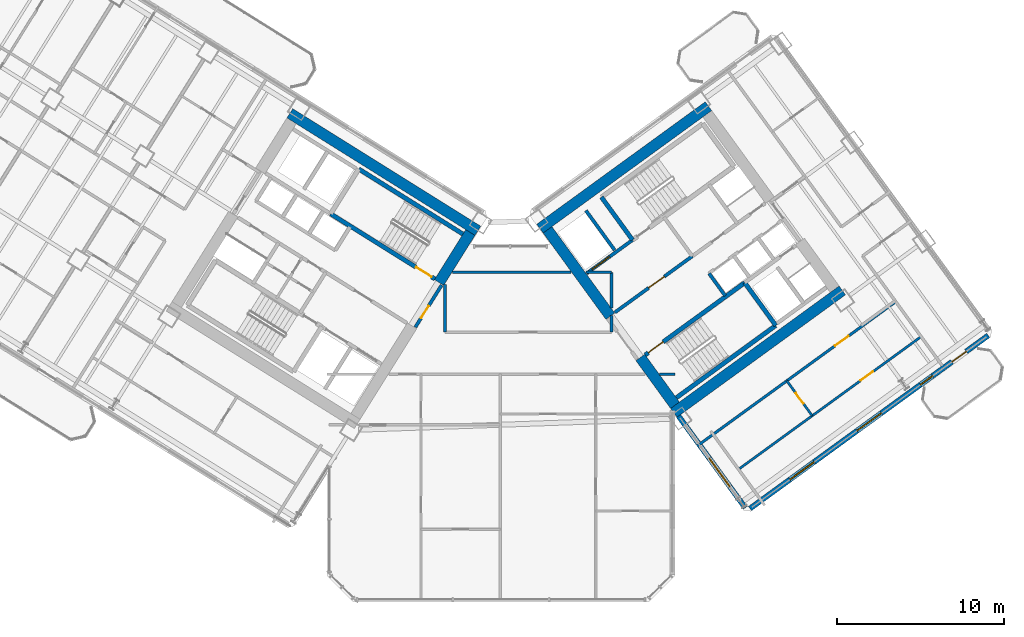
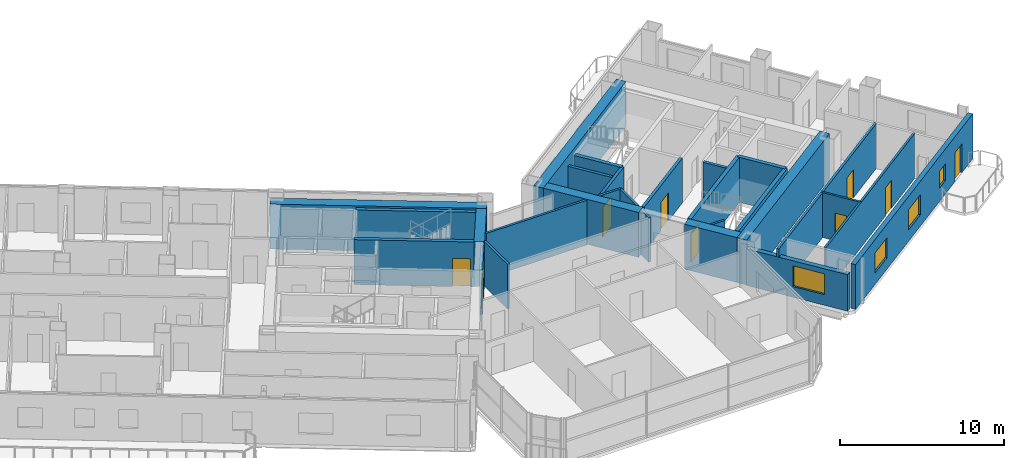
# One storey, part 18 of 28: 28 walls, 9 doors, 4 windows, 13 openings.
"""IFC4 building model written with IfcOpenShell, lengths in metres."""

from ifc_helpers import new_model, si_unit, direction, frame, frame_2d, origin, place, context, subcontext, project, spatial, rectangle, extrude, source, transform, mapped, material, layer, layer_set, type_object, element, fill, save


model = new_model("IFC4")

# Units and contexts
model_context = context("Model", 3, precision=1e-05, world=origin(), true_north=direction((0.0, 1.0)))
body_context = subcontext(model_context, "Body", "Model", "MODEL_VIEW")
ifc_project = project(units=[si_unit("LENGTHUNIT", "METRE"), si_unit("AREAUNIT", "SQUARE_METRE"), si_unit("VOLUMEUNIT", "CUBIC_METRE"), si_unit("PLANEANGLEUNIT", "RADIAN"), si_unit("MASSUNIT", "GRAM", prefix="KILO")], contexts=[model_context])

# Site, building, storey
site_placement = place(None, origin())
site = spatial("IfcSite", under=ifc_project, at=site_placement, CompositionType="ELEMENT")
building_placement = place(site_placement, origin())
building = spatial("IfcBuilding", under=site, at=building_placement, Name="Tlacorven Tower", CompositionType="ELEMENT")
storey_placement = place(building_placement, frame((0.0, 0.0, 49.199951171875)))
storey = spatial("IfcBuildingStorey", under=building, at=storey_placement, Name="L12", CompositionType="ELEMENT", Elevation=49.199951171875)

# Walls
ifc_material_1 = material(Name="Concrete C60/75", Category="concrete")
ifc_layer_1 = layer(ifc_material_1, 0.64990234375)
ifc_layer_set_1 = layer_set([ifc_layer_1], Name="Concrete C60/75")
wall_type_1 = type_object("IfcWallType", Name="WL-COR-650", PredefinedType="SHEAR", material=ifc_layer_set_1)
wall_1_placement = place(storey_placement, frame((40.615478515625, 23.9833984375, 0.0), z_axis=(0.0, 0.0, 1.0), x_axis=(-0.848045953968, 0.529922692436, 0.0)))
element("IfcWall", 1, at=wall_1_placement, inside=storey, type_object=wall_type_1, Name="L12 W core shear wall S1", PredefinedType="SHEAR", context=body_context, shape_type="SweptSolid", body=[
    extrude(rectangle(XDim=13.239990234375, YDim=0.64990234375, at=frame_2d((6.6201171875, 0.0))), origin(), (0.0, 0.0, 1.0), 3.35009765625),
])
wall_2_placement = place(storey_placement, frame((40.167724609375, 23.880126953125, 0.0), z_axis=(0.0, 0.0, 1.0), x_axis=(-0.529893103397, -0.8480644427, 0.0)))
element("IfcWall", 2, at=wall_2_placement, inside=storey, type_object=wall_type_1, Name="L12 W core end wall E1.1", PredefinedType="SHEAR", context=body_context, shape_type="SweptSolid", body=[
    extrude(rectangle(XDim=3.525146484375, YDim=0.64990234375, at=frame_2d((1.7626953125, 0.0))), origin(), (0.0, 0.0, 1.0), 3.35009765625),
])
wall_3_placement = place(storey_placement, frame((52.318359375, 13.1103515625, 0.0), z_axis=(0.0, 0.0, 1.0), x_axis=(0.809019445368, 0.587781878776, 0.0)))
element("IfcWall", 3, at=wall_3_placement, inside=storey, type_object=wall_type_1, Name="L12 E core shear wall S1", PredefinedType="SHEAR", context=body_context, shape_type="SweptSolid", body=[
    extrude(rectangle(XDim=12.43994140625, YDim=0.64990234375, at=frame_2d((6.219970703125, 0.0))), origin(), (0.0, 0.0, 1.0), 3.35009765625),
])
wall_4_placement = place(storey_placement, frame((44.32470703125, 24.113037109375, 0.0), z_axis=(0.0, 0.0, 1.0), x_axis=(0.809012664862, 0.58779121131, 0.0)))
element("IfcWall", 4, at=wall_4_placement, inside=storey, type_object=wall_type_1, Name="L12 E core shear wall S2", PredefinedType="SHEAR", context=body_context, shape_type="SweptSolid", body=[
    extrude(rectangle(XDim=12.439697265625, YDim=0.64990234375, at=frame_2d((6.2197265625, 0.0))), origin(), (0.0, 0.0, 1.0), 3.35009765625),
])
wall_5_placement = place(storey_placement, frame((52.390380859375, 13.564208984375, 0.0), z_axis=(0.0, 0.0, 1.0), x_axis=(-0.58779688989, 0.809008539037, 0.0)))
element("IfcWall", 5, at=wall_5_placement, inside=storey, type_object=wall_type_1, Name="L12 E core end wall E1.1", PredefinedType="SHEAR", context=body_context, shape_type="SweptSolid", body=[
    extrude(rectangle(XDim=3.525146484375, YDim=0.64990234375, at=frame_2d((1.7626953125, 0.0))), origin(), (0.0, 0.0, 1.0), 3.35009765625),
])
wall_6_placement = place(storey_placement, frame((48.525634765625, 18.883544921875, 0.0), z_axis=(0.0, 0.0, 1.0), x_axis=(-0.58777996584, 0.809020835181, 0.0)))
element("IfcWall", 6, at=wall_6_placement, inside=storey, type_object=wall_type_1, Name="L12 E core end wall E1.2", PredefinedType="SHEAR", context=body_context, shape_type="SweptSolid", body=[
    extrude(rectangle(XDim=6.375, YDim=0.64990234375, at=frame_2d((3.1875, 0.0))), origin(), (0.0, 0.0, 1.0), 3.35009765625),
])
ifc_material_2 = material(Name="Gypsum plasterboard acoustic partition", Category="gypsum")
ifc_layer_2 = layer(ifc_material_2, 0.159912109375)
ifc_layer_set_2 = layer_set([ifc_layer_2], Name="Gypsum plasterboard acoustic partition")
wall_type_2 = type_object("IfcWallType", Name="WL-DEM-160", PredefinedType="PARTITIONING", material=ifc_layer_set_2)
wall_7_placement = place(storey_placement, frame((51.477294921875, 15.419921875, 0.0), z_axis=(0.0, 0.0, 1.0), x_axis=(1.0, 0.0, 0.0)))
element("IfcWall", 7, at=wall_7_placement, inside=storey, type_object=wall_type_2, Name="L12 Knuckle Corridor South Wall", PredefinedType="PARTITIONING", context=body_context, shape_type="SweptSolid", body=[
    extrude(rectangle(XDim=0.922607421875, YDim=0.159912109375, at=frame_2d((0.46142578125, 0.0))), origin(), (0.0, 0.0, 1.0), 3.340087890625),
])
wall_8_placement = place(storey_placement, frame((38.64990234375, 17.929931640625, 0.0), z_axis=(0.0, 0.0, 1.0), x_axis=(0.0, 1.0, 0.0)))
element("IfcWall", 8, at=wall_8_placement, inside=storey, type_object=wall_type_2, Name="L12 partition 82", PredefinedType="PARTITIONING", context=body_context, shape_type="SweptSolid", body=[
    extrude(rectangle(XDim=2.85693359375, YDim=0.159912109375, at=frame_2d((1.428466796875, 0.0))), origin(), (0.0, 0.0, 1.0), 3.340087890625),
])
wall_9_placement = place(storey_placement, frame((48.60009765625, 17.929931640625, 0.0), z_axis=(0.0, 0.0, 1.0), x_axis=(0.0, 1.0, 0.0)))
element("IfcWall", 9, at=wall_9_placement, inside=storey, type_object=wall_type_2, Name="L12 partition 83", PredefinedType="PARTITIONING", context=body_context, shape_type="SweptSolid", body=[
    extrude(rectangle(XDim=0.99267578125, YDim=0.159912109375, at=frame_2d((0.496337890625, 0.0))), origin(), (0.0, 0.0, 1.0), 3.340087890625),
])
wall_10_placement = place(storey_placement, frame((48.60009765625, 19.380126953125, 0.0), z_axis=(0.0, 0.0, 1.0), x_axis=(0.0, 1.0, 0.0)))
element("IfcWall", 10, at=wall_10_placement, inside=storey, type_object=wall_type_2, Name="L12 partition 83", PredefinedType="PARTITIONING", context=body_context, shape_type="SweptSolid", body=[
    extrude(rectangle(XDim=2.119873046875, YDim=0.159912109375, at=frame_2d((1.06005859375, 0.0))), origin(), (0.0, 0.0, 1.0), 3.340087890625),
])
wall_11_placement = place(storey_placement, frame((39.095458984375, 21.5, 0.0), z_axis=(0.0, 0.0, 1.0), x_axis=(1.0, 0.0, 0.0)))
element("IfcWall", 11, at=wall_11_placement, inside=storey, type_object=wall_type_2, Name="L12 partition 84", PredefinedType="PARTITIONING", context=body_context, shape_type="SweptSolid", body=[
    extrude(rectangle(XDim=7.09423828125, YDim=0.159912109375, at=frame_2d((3.547119140625, 0.0))), origin(), (0.0, 0.0, 1.0), 3.340087890625),
])
wall_12_placement = place(storey_placement, frame((47.059814453125, 21.5, 0.0), z_axis=(0.0, 0.0, 1.0), x_axis=(1.0, 0.0, 0.0)))
element("IfcWall", 12, at=wall_12_placement, inside=storey, type_object=wall_type_2, Name="L12 partition 84", PredefinedType="PARTITIONING", context=body_context, shape_type="SweptSolid", body=[
    extrude(rectangle(XDim=1.540283203125, YDim=0.159912109375, at=frame_2d((0.77001953125, 0.0))), origin(), (0.0, 0.0, 1.0), 3.340087890625),
])

# Wall, opening, door
wall_13_placement = place(storey_placement, frame((53.70458984375, 11.1259765625, 0.0), z_axis=(0.0, 0.0, 1.0), x_axis=(0.809014504436, 0.587788679384, 0.0)))
wall_13 = element("IfcWall", 13, at=wall_13_placement, inside=storey, type_object=wall_type_2, Name="L12 partition 104", PredefinedType="PARTITIONING", context=body_context, shape_type="SweptSolid", body=[
    extrude(rectangle(XDim=14.669921875, YDim=0.159912109375, at=frame_2d((7.3349609375, 0.0))), origin(), (0.0, 0.0, 1.0), 3.340087890625),
])
opening_1_placement = place(wall_13_placement, frame((10.199951171875, 0.0, 0.0)))
opening_1 = element("IfcOpeningElement", 14, at=opening_1_placement, cuts=wall_13, Name="Opening D11", PredefinedType="OPENING", context=body_context, shape_type="SweptSolid", body=[
    extrude(rectangle(XDim=1.0, YDim=2.10009765625, at=frame_2d((0.5, 1.050048828125))), frame((0.0, 0.08984375, 0.0), z_axis=(0.0, -1.0, 0.0), x_axis=(1.0, 0.0, 0.0)), (0.0, 0.0, 1.0), 0.179931640625),
])
ifc_material_3 = material(Name="Fire-rated steel door assembly", Category="steel")
door_type_1 = type_object("IfcDoorType", Name="DR-FLT-FD60-1000", OperationType="NOTDEFINED", PredefinedType="DOOR", material=ifc_material_3)
shared_shape_1 = source(origin(), body_context, "Body", "SweptSolid", [
    extrude(rectangle(XDim=1.0, YDim=2.10009765625, at=frame_2d((0.5, 1.050048828125))), frame((0.0, 0.02490234375, 0.0), z_axis=(0.0, -1.0, 0.0), x_axis=(1.0, 0.0, 0.0)), (0.0, 0.0, 1.0), 0.050048828125),
])
door_1_placement = place(opening_1_placement, origin())
door_1 = element("IfcDoor", 15, at=door_1_placement, inside=storey, type_object=door_type_1, Name="L12 door 065", OperationType="SINGLE_SWING_LEFT", OverallHeight=2.10009765625, OverallWidth=1.0, PredefinedType="DOOR", context=body_context, shape_type="MappedRepresentation", body=[
    mapped(shared_shape_1, transform((0.0, 0.0, 0.0), scale=1.0)),
])
fill(opening_1, door_1)

# Wall, openings, door, windows
ifc_material_4 = material(Name="Precast concrete C45/55", Category="concrete")
ifc_layer_3 = layer(ifc_material_4, 0.320068359375)
ifc_layer_set_3 = layer_set([ifc_layer_3], Name="Precast concrete C45/55")
wall_type_3 = type_object("IfcWallType", Name="WL-EXT-320", PredefinedType="STANDARD", material=ifc_layer_set_3)
wall_14_placement = place(storey_placement, frame((71.097900390625, 17.73095703125, 0.0), z_axis=(0.0, 0.0, 1.0), x_axis=(-0.809021120468, -0.587779573171, 0.0)))
wall_14 = element("IfcWall", 16, at=wall_14_placement, inside=storey, type_object=wall_type_3, Name="L12 Masonry-Frame Recessed Facade Wall 6", PredefinedType="STANDARD", context=body_context, shape_type="SweptSolid", body=[
    extrude(rectangle(XDim=17.587646484375, YDim=0.320068359375, at=frame_2d((8.7939453125, 0.0))), origin(), (0.0, 0.0, 1.0), 3.35009765625),
])
opening_2_placement = place(wall_14_placement, frame((1.623779296875, 0.0, 0.0)))
opening_2 = element("IfcOpeningElement", 17, at=opening_2_placement, cuts=wall_14, Name="Opening D06", PredefinedType="OPENING", context=body_context, shape_type="SweptSolid", body=[
    extrude(rectangle(XDim=1.050048828125, YDim=2.14990234375, at=frame_2d((0.52490234375, 1.074951171875))), frame((0.0, 0.169921875, 0.0), z_axis=(0.0, -1.0, 0.0), x_axis=(1.0, 0.0, 0.0)), (0.0, 0.0, 1.0), 0.340087890625),
])
opening_3_placement = place(wall_14_placement, frame((4.103759765625, 0.0, 1.0)))
opening_3 = element("IfcOpeningElement", 18, at=opening_3_placement, cuts=wall_14, Name="Opening WN05", PredefinedType="OPENING", context=body_context, shape_type="SweptSolid", body=[
    extrude(rectangle(XDim=0.89990234375, YDim=1.25, at=frame_2d((0.449951171875, 0.625))), frame((0.0, 0.169921875, 0.0), z_axis=(0.0, -1.0, 0.0), x_axis=(1.0, 0.0, 0.0)), (0.0, 0.0, 1.0), 0.340087890625),
])
opening_4_placement = place(wall_14_placement, frame((7.878662109375, 0.0, 0.85009765625)))
opening_4 = element("IfcOpeningElement", 19, at=opening_4_placement, cuts=wall_14, Name="Opening WN01", PredefinedType="OPENING", context=body_context, shape_type="SweptSolid", body=[
    extrude(rectangle(XDim=1.800048828125, YDim=1.5, at=frame_2d((0.89990234375, 0.75))), frame((0.0, 0.169921875, 0.0), z_axis=(0.0, -1.0, 0.0), x_axis=(1.0, 0.0, 0.0)), (0.0, 0.0, 1.0), 0.340087890625),
])
opening_5_placement = place(wall_14_placement, frame((12.8486328125, 0.0, 0.85009765625)))
opening_5 = element("IfcOpeningElement", 20, at=opening_5_placement, cuts=wall_14, Name="Opening WN01", PredefinedType="OPENING", context=body_context, shape_type="SweptSolid", body=[
    extrude(rectangle(XDim=1.800048828125, YDim=1.5, at=frame_2d((0.89990234375, 0.75))), frame((0.0, 0.169921875, 0.0), z_axis=(0.0, -1.0, 0.0), x_axis=(1.0, 0.0, 0.0)), (0.0, 0.0, 1.0), 0.340087890625),
])
ifc_material_5 = material(Name="Powder-coated aluminium and timber door", Category="wood")
door_type_2 = type_object("IfcDoorType", Name="DR-EXT-BALC-1050", OperationType="NOTDEFINED", PredefinedType="DOOR", material=ifc_material_5)
shared_shape_2 = source(origin(), body_context, "Body", "SweptSolid", [
    extrude(rectangle(XDim=1.050048828125, YDim=2.14990234375, at=frame_2d((0.52490234375, 1.074951171875))), frame((0.0, 0.02490234375, 0.0), z_axis=(0.0, -1.0, 0.0), x_axis=(1.0, 0.0, 0.0)), (0.0, 0.0, 1.0), 0.050048828125),
])
door_2_placement = place(opening_2_placement, origin())
door_2 = element("IfcDoor", 21, at=door_2_placement, inside=storey, type_object=door_type_2, Name="L12 Outdoor Access Door BAL-L12-E-OUT", OperationType="SINGLE_SWING_LEFT", OverallHeight=2.14990234375, OverallWidth=1.050048828125, PredefinedType="DOOR", context=body_context, shape_type="MappedRepresentation", body=[
    mapped(shared_shape_2, transform((0.0, 0.0, 0.0), scale=1.0)),
])
fill(opening_2, door_2)
ifc_material_6 = material(Name="Dark solar low-E double glazing in anodised aluminium frame", Category="aluminium")
window_type_1 = type_object("IfcWindowType", Name="WN-APT-1800X1650", PartitioningType="SINGLE_PANEL", PredefinedType="WINDOW", material=ifc_material_6)
shared_shape_3 = source(origin(), body_context, "Body", "SweptSolid", [
    extrude(rectangle(XDim=1.800048828125, YDim=1.5, at=frame_2d((0.89990234375, 0.75))), frame((0.0, 0.030029296875, 0.0), z_axis=(0.0, -1.0, 0.0), x_axis=(1.0, 0.0, 0.0)), (0.0, 0.0, 1.0), 0.06005859375),
])
window_1_placement = place(opening_4_placement, origin())
window_1 = element("IfcWindow", 22, at=window_1_placement, inside=storey, type_object=window_type_1, Name="L12 Recessed Masonry-Frame Window L12-06.2", OverallHeight=1.5, OverallWidth=1.800048828125, PartitioningType="SINGLE_PANEL", PredefinedType="WINDOW", context=body_context, shape_type="MappedRepresentation", body=[
    mapped(shared_shape_3, transform((0.0, 0.0, 0.0), scale=1.0)),
])
fill(opening_4, window_1)
window_2_placement = place(opening_5_placement, origin())
window_2 = element("IfcWindow", 23, at=window_2_placement, inside=storey, type_object=window_type_1, Name="L12 Recessed Masonry-Frame Window L12-06.3", OverallHeight=1.5, OverallWidth=1.800048828125, PartitioningType="SINGLE_PANEL", PredefinedType="WINDOW", context=body_context, shape_type="MappedRepresentation", body=[
    mapped(shared_shape_3, transform((0.0, 0.0, 0.0), scale=1.0)),
])
fill(opening_5, window_2)
window_type_2 = type_object("IfcWindowType", Name="WN-APT-0900X1350", PartitioningType="SINGLE_PANEL", PredefinedType="WINDOW", material=ifc_material_6)
shared_shape_4 = source(origin(), body_context, "Body", "SweptSolid", [
    extrude(rectangle(XDim=0.89990234375, YDim=1.25, at=frame_2d((0.449951171875, 0.625))), frame((0.0, 0.030029296875, 0.0), z_axis=(0.0, -1.0, 0.0), x_axis=(1.0, 0.0, 0.0)), (0.0, 0.0, 1.0), 0.06005859375),
])
window_3_placement = place(opening_3_placement, origin())
window_3 = element("IfcWindow", 24, at=window_3_placement, inside=storey, type_object=window_type_2, Name="L12 Recessed Masonry-Frame Window L12-06.1", OverallHeight=1.25, OverallWidth=0.89990234375, PartitioningType="SINGLE_PANEL", PredefinedType="WINDOW", context=body_context, shape_type="MappedRepresentation", body=[
    mapped(shared_shape_4, transform((0.0, 0.0, 0.0), scale=1.0)),
])
fill(opening_3, window_3)

# Wall, opening, window
wall_15_placement = place(storey_placement, frame((56.5810546875, 7.43896484375, 0.0), z_axis=(0.0, 0.0, 1.0), x_axis=(-0.587785875463, 0.809016541614, 0.0)))
wall_15 = element("IfcWall", 25, at=wall_15_placement, inside=storey, type_object=wall_type_3, Name="L12 Masonry-Frame Recessed Facade Wall 7", PredefinedType="STANDARD", context=body_context, shape_type="SweptSolid", body=[
    extrude(rectangle(XDim=6.773681640625, YDim=0.320068359375, at=frame_2d((3.38671875, 0.0))), origin(), (0.0, 0.0, 1.0), 2.72509765625),
])
opening_6_placement = place(wall_15_placement, frame((1.55615234375, 0.0, 0.800048828125)))
opening_6 = element("IfcOpeningElement", 26, at=opening_6_placement, cuts=wall_15, Name="Opening WN04", PredefinedType="OPENING", context=body_context, shape_type="SweptSolid", body=[
    extrude(rectangle(XDim=2.10009765625, YDim=1.550048828125, at=frame_2d((1.050048828125, 0.77490234375))), frame((0.0, 0.169921875, 0.0), z_axis=(0.0, -1.0, 0.0), x_axis=(1.0, 0.0, 0.0)), (0.0, 0.0, 1.0), 0.340087890625),
])
window_type_3 = type_object("IfcWindowType", Name="WN-APT-2100X1750", PartitioningType="SINGLE_PANEL", PredefinedType="WINDOW", material=ifc_material_6)
shared_shape_5 = source(origin(), body_context, "Body", "SweptSolid", [
    extrude(rectangle(XDim=2.10009765625, YDim=1.550048828125, at=frame_2d((1.050048828125, 0.77490234375))), frame((0.0, 0.030029296875, 0.0), z_axis=(0.0, -1.0, 0.0), x_axis=(1.0, 0.0, 0.0)), (0.0, 0.0, 1.0), 0.06005859375),
])
window_4_placement = place(opening_6_placement, origin())
window_4 = element("IfcWindow", 27, at=window_4_placement, inside=storey, type_object=window_type_3, Name="L12 Recessed Masonry-Frame Window L12-07.1", OverallHeight=1.550048828125, OverallWidth=2.10009765625, PartitioningType="SINGLE_PANEL", PredefinedType="WINDOW", context=body_context, shape_type="MappedRepresentation", body=[
    mapped(shared_shape_5, transform((0.0, 0.0, 0.0), scale=1.0)),
])
fill(opening_6, window_4)

# Wall, opening, door
ifc_material_7 = material(Name="Moisture-resistant gypsum plumbing wall", Category="gypsum")
ifc_layer_4 = layer(ifc_material_7, 0.139892578125)
ifc_layer_set_4 = layer_set([ifc_layer_4], Name="Moisture-resistant gypsum plumbing wall")
wall_type_4 = type_object("IfcWallType", Name="WL-PLM-140", PredefinedType="PLUMBINGWALL", material=ifc_layer_set_4)
wall_16_placement = place(storey_placement, frame((56.24853515625, 9.78515625, 0.0), z_axis=(0.0, 0.0, 1.0), x_axis=(0.809011747655, 0.587792473715, 0.0)))
wall_16 = element("IfcWall", 28, at=wall_16_placement, inside=storey, type_object=wall_type_4, Name="L12 partition 106", PredefinedType="PLUMBINGWALL", context=body_context, shape_type="SweptSolid", body=[
    extrude(rectangle(XDim=13.400146484375, YDim=0.139892578125, at=frame_2d((6.7001953125, 0.0))), origin(), (0.0, 0.0, 1.0), 3.340087890625),
])
opening_7_placement = place(wall_16_placement, frame((8.93994140625, 0.0, 0.0)))
opening_7 = element("IfcOpeningElement", 29, at=opening_7_placement, cuts=wall_16, Name="Opening D12", PredefinedType="OPENING", context=body_context, shape_type="SweptSolid", body=[
    extrude(rectangle(XDim=0.919921875, YDim=2.080078125, at=frame_2d((0.4599609375, 1.0400390625))), frame((0.0, 0.080078125, 0.0), z_axis=(0.0, -1.0, 0.0), x_axis=(1.0, 0.0, 0.0)), (0.0, 0.0, 1.0), 0.159912109375),
])
door_type_3 = type_object("IfcDoorType", Name="DR-INT-ROOM-0920", OperationType="NOTDEFINED", PredefinedType="DOOR", material=ifc_material_5)
shared_shape_6 = source(origin(), body_context, "Body", "SweptSolid", [
    extrude(rectangle(XDim=0.919921875, YDim=2.080078125, at=frame_2d((0.4599609375, 1.0400390625))), frame((0.0, 0.02490234375, 0.0), z_axis=(0.0, -1.0, 0.0), x_axis=(1.0, 0.0, 0.0)), (0.0, 0.0, 1.0), 0.050048828125),
])
door_3_placement = place(opening_7_placement, origin())
door_3 = element("IfcDoor", 30, at=door_3_placement, inside=storey, type_object=door_type_3, Name="L12 door 066", OperationType="SINGLE_SWING_RIGHT", OverallHeight=2.080078125, OverallWidth=0.919921875, PredefinedType="DOOR", context=body_context, shape_type="MappedRepresentation", body=[
    mapped(shared_shape_6, transform((0.0, 0.0, 0.0), scale=1.0)),
])
fill(opening_7, door_3)

wall_17_placement = place(storey_placement, frame((60.584716796875, 12.935791015625, 0.0), z_axis=(0.0, 0.0, 1.0), x_axis=(-0.587772116736, 0.809026537752, 0.0)))
wall_17 = element("IfcWall", 31, at=wall_17_placement, inside=storey, type_object=wall_type_4, Name="L12 partition 107", PredefinedType="PLUMBINGWALL", context=body_context, shape_type="SweptSolid", body=[
    extrude(rectangle(XDim=2.579833984375, YDim=0.139892578125, at=frame_2d((1.2900390625, 0.0))), origin(), (0.0, 0.0, 1.0), 3.340087890625),
])
opening_8_placement = place(wall_17_placement, frame((0.89990234375, 0.0, 0.0)))
opening_8 = element("IfcOpeningElement", 32, at=opening_8_placement, cuts=wall_17, Name="Opening D22", PredefinedType="OPENING", context=body_context, shape_type="SweptSolid", body=[
    extrude(rectangle(XDim=0.780029296875, YDim=2.050048828125, at=frame_2d((0.39013671875, 1.02490234375))), frame((0.0, 0.080078125, 0.0), z_axis=(0.0, -1.0, 0.0), x_axis=(1.0, 0.0, 0.0)), (0.0, 0.0, 1.0), 0.159912109375),
])
door_type_4 = type_object("IfcDoorType", Name="DR-INT-WET-0780", OperationType="NOTDEFINED", PredefinedType="DOOR", material=ifc_material_5)
shared_shape_7 = source(origin(), body_context, "Body", "SweptSolid", [
    extrude(rectangle(XDim=0.780029296875, YDim=2.050048828125, at=frame_2d((0.39013671875, 1.02490234375))), frame((0.0, 0.02490234375, 0.0), z_axis=(0.0, -1.0, 0.0), x_axis=(1.0, 0.0, 0.0)), (0.0, 0.0, 1.0), 0.050048828125),
])
door_4_placement = place(opening_8_placement, origin())
door_4 = element("IfcDoor", 33, at=door_4_placement, inside=storey, type_object=door_type_4, Name="L12 door 067", OperationType="SINGLE_SWING_LEFT", OverallHeight=2.050048828125, OverallWidth=0.780029296875, PredefinedType="DOOR", context=body_context, shape_type="MappedRepresentation", body=[
    mapped(shared_shape_7, transform((0.0, 0.0, 0.0), scale=1.0)),
])
fill(opening_8, door_4)

ifc_material_8 = material(Name="Concrete C40/50", Category="concrete")
ifc_layer_5 = layer(ifc_material_8, 0.199951171875)
ifc_layer_set_5 = layer_set([ifc_layer_5], Name="Concrete C40/50")
wall_type_5 = type_object("IfcWallType", Name="WL-SHF-200", PredefinedType="STANDARD", material=ifc_layer_set_5)
wall_18_placement = place(storey_placement, frame((47.10595703125, 21.4365234375, 0.0), z_axis=(0.0, 0.0, 1.0), x_axis=(0.809012514015, 0.58779141893, 0.0)))
wall_18 = element("IfcWall", 34, at=wall_18_placement, inside=storey, type_object=wall_type_5, Name="L12 Core E Firefighting Lift Shaft Front Wall", PredefinedType="STANDARD", context=body_context, shape_type="SweptSolid", body=[
    extrude(rectangle(XDim=3.39794921875, YDim=0.199951171875, at=frame_2d((1.698974609375, 0.0))), origin(), (0.0, 0.0, 1.0), 3.340087890625),
])
opening_9_placement = place(wall_18_placement, frame((0.407958984375, 0.0, 0.0)))
opening_9 = element("IfcOpeningElement", 35, at=opening_9_placement, cuts=wall_18, Name="Opening LD03", PredefinedType="OPENING", context=body_context, shape_type="SweptSolid", body=[
    extrude(rectangle(XDim=1.300048828125, YDim=2.199951171875, at=frame_2d((0.64990234375, 1.10009765625))), frame((0.0, 0.10986328125, 0.0), z_axis=(0.0, -1.0, 0.0), x_axis=(1.0, 0.0, 0.0)), (0.0, 0.0, 1.0), 0.219970703125),
])
door_type_5 = type_object("IfcDoorType", Name="DR-LFT-SLID-1300", OperationType="DOUBLE_DOOR_SLIDING", PredefinedType="DOOR", material=ifc_material_3)
shared_shape_8 = source(origin(), body_context, "Body", "SweptSolid", [
    extrude(rectangle(XDim=1.300048828125, YDim=2.199951171875, at=frame_2d((0.64990234375, 1.10009765625))), frame((0.0, 0.02490234375, 0.0), z_axis=(0.0, -1.0, 0.0), x_axis=(1.0, 0.0, 0.0)), (0.0, 0.0, 1.0), 0.050048828125),
])
door_5_placement = place(opening_9_placement, origin())
door_5 = element("IfcDoor", 36, at=door_5_placement, inside=storey, type_object=door_type_5, Name="L12 Lift FFL-E1 Sliding Landing Door", OperationType="DOUBLE_DOOR_SLIDING", OverallHeight=2.199951171875, OverallWidth=1.300048828125, PredefinedType="DOOR", context=body_context, shape_type="MappedRepresentation", body=[
    mapped(shared_shape_8, transform((0.0, 0.0, 0.0), scale=1.0)),
])
fill(opening_9, door_5)

wall_19_placement = place(storey_placement, frame((48.798828125, 19.106689453125, 0.0), z_axis=(0.0, 0.0, 1.0), x_axis=(0.809012959416, 0.587790805897, 0.0)))
wall_19 = element("IfcWall", 37, at=wall_19_placement, inside=storey, type_object=wall_type_5, Name="L12 Core E Smoke Lobby Wall", PredefinedType="STANDARD", context=body_context, shape_type="SweptSolid", body=[
    extrude(rectangle(XDim=5.7177734375, YDim=0.199951171875, at=frame_2d((2.85888671875, 0.0))), origin(), (0.0, 0.0, 1.0), 3.340087890625),
])
opening_10_placement = place(wall_19_placement, frame((2.498046875, 0.0, 0.0)))
opening_10 = element("IfcOpeningElement", 38, at=opening_10_placement, cuts=wall_19, Name="Opening D09", PredefinedType="OPENING", context=body_context, shape_type="SweptSolid", body=[
    extrude(rectangle(XDim=1.14990234375, YDim=2.10009765625, at=frame_2d((0.574951171875, 1.050048828125))), frame((0.0, 0.10986328125, 0.0), z_axis=(0.0, -1.0, 0.0), x_axis=(1.0, 0.0, 0.0)), (0.0, 0.0, 1.0), 0.219970703125),
])
door_type_6 = type_object("IfcDoorType", Name="DR-FFL-FD60-1150", OperationType="NOTDEFINED", PredefinedType="DOOR", material=ifc_material_3)
shared_shape_9 = source(origin(), body_context, "Body", "SweptSolid", [
    extrude(rectangle(XDim=1.14990234375, YDim=2.10009765625, at=frame_2d((0.574951171875, 1.050048828125))), frame((0.0, 0.02490234375, 0.0), z_axis=(0.0, -1.0, 0.0), x_axis=(1.0, 0.0, 0.0)), (0.0, 0.0, 1.0), 0.050048828125),
])
door_6_placement = place(opening_10_placement, origin())
door_6 = element("IfcDoor", 39, at=door_6_placement, inside=storey, type_object=door_type_6, Name="L12 Firefighting Lobby E Fire Door", OperationType="SINGLE_SWING_RIGHT", OverallHeight=2.10009765625, OverallWidth=1.14990234375, PredefinedType="DOOR", context=body_context, shape_type="MappedRepresentation", body=[
    mapped(shared_shape_9, transform((0.0, 0.0, 0.0), scale=1.0)),
])
fill(opening_10, door_6)

# Walls
wall_20_placement = place(storey_placement, frame((55.390869140625, 20.1015625, 0.0), z_axis=(0.0, 0.0, 1.0), x_axis=(-0.58778447739, 0.809017557374, 0.0)))
element("IfcWall", 40, at=wall_20_placement, inside=storey, type_object=wall_type_5, Name="L12 partition 37", PredefinedType="STANDARD", context=body_context, shape_type="SweptSolid", body=[
    extrude(rectangle(XDim=1.64990234375, YDim=0.199951171875, at=frame_2d((0.824951171875, 0.0))), origin(), (0.0, 0.0, 1.0), 3.340087890625),
])
wall_21_placement = place(storey_placement, frame((48.78564453125, 22.830078125, 0.0), z_axis=(0.0, 0.0, 1.0), x_axis=(-0.587783856777, 0.809018008275, 0.0)))
element("IfcWall", 41, at=wall_21_placement, inside=storey, type_object=wall_type_5, Name="L12 partition 38", PredefinedType="STANDARD", context=body_context, shape_type="SweptSolid", body=[
    extrude(rectangle(XDim=2.919921875, YDim=0.199951171875, at=frame_2d((1.4599609375, 0.0))), origin(), (0.0, 0.0, 1.0), 3.340087890625),
])

# Wall, opening, door
wall_22_placement = place(storey_placement, frame((38.451416015625, 20.737060546875, 0.0), z_axis=(0.0, 0.0, 1.0), x_axis=(-0.529924799939, -0.848044637038, 0.0)))
wall_22 = element("IfcWall", 42, at=wall_22_placement, inside=storey, type_object=wall_type_5, Name="L12 partition 79", PredefinedType="STANDARD", context=body_context, shape_type="SweptSolid", body=[
    extrude(rectangle(XDim=2.9599609375, YDim=0.199951171875, at=frame_2d((1.47998046875, 0.0))), origin(), (0.0, 0.0, 1.0), 3.340087890625),
])
opening_11_placement = place(wall_22_placement, frame((1.4599609375, 0.0, 0.0)))
opening_11 = element("IfcOpeningElement", 43, at=opening_11_placement, cuts=wall_22, Name="Opening D19", PredefinedType="OPENING", context=body_context, shape_type="SweptSolid", body=[
    extrude(rectangle(XDim=0.860107421875, YDim=2.050048828125, at=frame_2d((0.43017578125, 1.02490234375))), frame((0.0, 0.10986328125, 0.0), z_axis=(0.0, -1.0, 0.0), x_axis=(1.0, 0.0, 0.0)), (0.0, 0.0, 1.0), 0.219970703125),
])
door_type_7 = type_object("IfcDoorType", Name="DR-RSR-FD60-0860", OperationType="NOTDEFINED", PredefinedType="DOOR", material=ifc_material_3)
shared_shape_10 = source(origin(), body_context, "Body", "SweptSolid", [
    extrude(rectangle(XDim=0.860107421875, YDim=2.050048828125, at=frame_2d((0.43017578125, 1.02490234375))), frame((0.0, 0.02490234375, 0.0), z_axis=(0.0, -1.0, 0.0), x_axis=(1.0, 0.0, 0.0)), (0.0, 0.0, 1.0), 0.050048828125),
])
door_7_placement = place(opening_11_placement, frame((0.860107421875, 0.0, 0.0), z_axis=(0.0, 0.0, 1.0), x_axis=(-1.0, 0.0, 0.0)))
door_7 = element("IfcDoor", 44, at=door_7_placement, inside=storey, type_object=door_type_7, Name="L12 door 048", OperationType="SINGLE_SWING_LEFT", OverallHeight=2.050048828125, OverallWidth=0.860107421875, PredefinedType="DOOR", context=body_context, shape_type="MappedRepresentation", body=[
    mapped(shared_shape_10, transform((0.0, 0.0, 0.0), scale=1.0)),
])
fill(opening_11, door_7)

# Wall
ifc_material_9 = material(Name="Concrete C50/60", Category="concrete")
ifc_layer_6 = layer(ifc_material_9, 0.260009765625)
ifc_layer_set_6 = layer_set([ifc_layer_6], Name="Concrete C50/60")
wall_type_6 = type_object("IfcWallType", Name="WL-STW-260", PredefinedType="SHEAR", material=ifc_layer_set_6)
wall_23_placement = place(storey_placement, frame((39.720947265625, 23.787841796875, 0.0), z_axis=(0.0, 0.0, 1.0), x_axis=(-0.848054434086, 0.529909121291, 0.0)))
element("IfcWall", 45, at=wall_23_placement, inside=storey, type_object=wall_type_6, Name="L12 Stair W2 Far Shear Wall", PredefinedType="SHEAR", context=body_context, shape_type="SweptSolid", body=[
    extrude(rectangle(XDim=7.330078125, YDim=0.260009765625, at=frame_2d((3.6650390625, 0.0))), origin(), (0.0, 0.0, 1.0), 3.35009765625),
])

# Wall, opening, door
wall_24_placement = place(storey_placement, frame((38.04638671875, 21.10791015625, 0.0), z_axis=(0.0, 0.0, 1.0), x_axis=(-0.848054434086, 0.529909121291, 0.0)))
wall_24 = element("IfcWall", 46, at=wall_24_placement, inside=storey, type_object=wall_type_6, Name="L12 Stair W2 Lobby Shear Wall", PredefinedType="SHEAR", context=body_context, shape_type="SweptSolid", body=[
    extrude(rectangle(XDim=7.330078125, YDim=0.260009765625, at=frame_2d((3.6650390625, 0.0))), origin(), (0.0, 0.0, 1.0), 3.35009765625),
])
opening_12_placement = place(wall_24_placement, frame((0.219970703125, 0.0, 0.0)))
opening_12 = element("IfcOpeningElement", 47, at=opening_12_placement, cuts=wall_24, Name="Opening D07", PredefinedType="OPENING", context=body_context, shape_type="SweptSolid", body=[
    extrude(rectangle(XDim=1.10009765625, YDim=2.10009765625, at=frame_2d((0.550048828125, 1.050048828125))), frame((0.0, 0.14013671875, 0.0), z_axis=(0.0, -1.0, 0.0), x_axis=(1.0, 0.0, 0.0)), (0.0, 0.0, 1.0), 0.280029296875),
])
door_type_8 = type_object("IfcDoorType", Name="DR-STR-FD90-1100", OperationType="NOTDEFINED", PredefinedType="DOOR", material=ifc_material_3)
shared_shape_11 = source(origin(), body_context, "Body", "SweptSolid", [
    extrude(rectangle(XDim=1.10009765625, YDim=2.10009765625, at=frame_2d((0.550048828125, 1.050048828125))), frame((0.0, 0.02490234375, 0.0), z_axis=(0.0, -1.0, 0.0), x_axis=(1.0, 0.0, 0.0)), (0.0, 0.0, 1.0), 0.050048828125),
])
door_8_placement = place(opening_12_placement, origin())
door_8 = element("IfcDoor", 48, at=door_8_placement, inside=storey, type_object=door_type_8, Name="L12 Exit Stair W2 Fire Door", OperationType="SINGLE_SWING_LEFT", OverallHeight=2.10009765625, OverallWidth=1.10009765625, PredefinedType="DOOR", context=body_context, shape_type="MappedRepresentation", body=[
    mapped(shared_shape_11, transform((0.0, 0.0, 0.0), scale=1.0)),
])
fill(opening_12, door_8)

# Walls
wall_25_placement = place(storey_placement, frame((49.85498046875, 23.433837890625, 0.0), z_axis=(0.0, 0.0, 1.0), x_axis=(-0.58776738483, 0.809029975545, 0.0)))
element("IfcWall", 49, at=wall_25_placement, inside=storey, type_object=wall_type_6, Name="L12 Stair E1 West Shear Wall", PredefinedType="SHEAR", context=body_context, shape_type="SweptSolid", body=[
    extrude(rectangle(XDim=3.16015625, YDim=0.260009765625, at=frame_2d((1.580078125, 0.0))), origin(), (0.0, 0.0, 1.0), 3.35009765625),
])
wall_26_placement = place(storey_placement, frame((52.47216796875, 14.01318359375, 0.0), z_axis=(0.0, 0.0, 1.0), x_axis=(0.809028366311, 0.587769599847, 0.0)))
element("IfcWall", 50, at=wall_26_placement, inside=storey, type_object=wall_type_6, Name="L12 Stair E2 Far Shear Wall", PredefinedType="SHEAR", context=body_context, shape_type="SweptSolid", body=[
    extrude(rectangle(XDim=7.330078125, YDim=0.260009765625, at=frame_2d((3.6650390625, 0.0))), origin(), (0.0, 0.0, 1.0), 3.35009765625),
])

# Wall, opening, door
wall_27_placement = place(storey_placement, frame((50.61474609375, 16.569580078125, 0.0), z_axis=(0.0, 0.0, 1.0), x_axis=(0.809028366311, 0.587769599847, 0.0)))
wall_27 = element("IfcWall", 51, at=wall_27_placement, inside=storey, type_object=wall_type_6, Name="L12 Stair E2 Lobby Shear Wall", PredefinedType="SHEAR", context=body_context, shape_type="SweptSolid", body=[
    extrude(rectangle(XDim=7.330078125, YDim=0.260009765625, at=frame_2d((3.6650390625, 0.0))), origin(), (0.0, 0.0, 1.0), 3.35009765625),
])
opening_13_placement = place(wall_27_placement, frame((0.219970703125, 0.0, 0.0)))
opening_13 = element("IfcOpeningElement", 52, at=opening_13_placement, cuts=wall_27, Name="Opening D07", PredefinedType="OPENING", context=body_context, shape_type="SweptSolid", body=[
    extrude(rectangle(XDim=1.10009765625, YDim=2.10009765625, at=frame_2d((0.550048828125, 1.050048828125))), frame((0.0, 0.14013671875, 0.0), z_axis=(0.0, -1.0, 0.0), x_axis=(1.0, 0.0, 0.0)), (0.0, 0.0, 1.0), 0.280029296875),
])
door_9_placement = place(opening_13_placement, origin())
door_9 = element("IfcDoor", 53, at=door_9_placement, inside=storey, type_object=door_type_8, Name="L12 Exit Stair E2 Fire Door", OperationType="SINGLE_SWING_LEFT", OverallHeight=2.10009765625, OverallWidth=1.10009765625, PredefinedType="DOOR", context=body_context, shape_type="MappedRepresentation", body=[
    mapped(shared_shape_11, transform((0.0, 0.0, 0.0), scale=1.0)),
])
fill(opening_13, door_9)

# Wall
wall_28_placement = place(storey_placement, frame((58.410400390625, 18.327392578125, 0.0), z_axis=(0.0, 0.0, 1.0), x_axis=(-0.58776738483, 0.809029975545, 0.0)))
element("IfcWall", 54, at=wall_28_placement, inside=storey, type_object=wall_type_6, Name="L12 Stair E2 East Shear Wall", PredefinedType="SHEAR", context=body_context, shape_type="SweptSolid", body=[
    extrude(rectangle(XDim=3.16015625, YDim=0.260009765625, at=frame_2d((1.580078125, 0.0))), origin(), (0.0, 0.0, 1.0), 3.35009765625),
])

save(model, "model.ifc")
